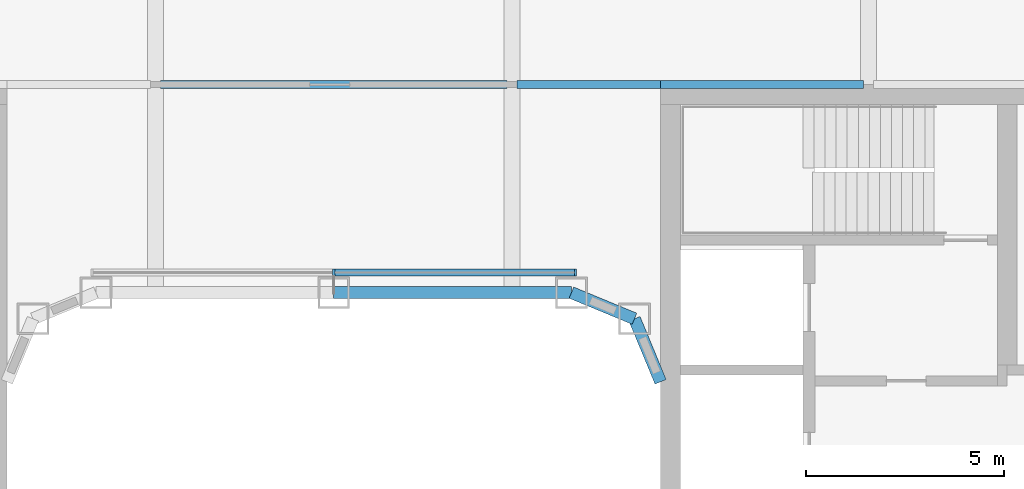
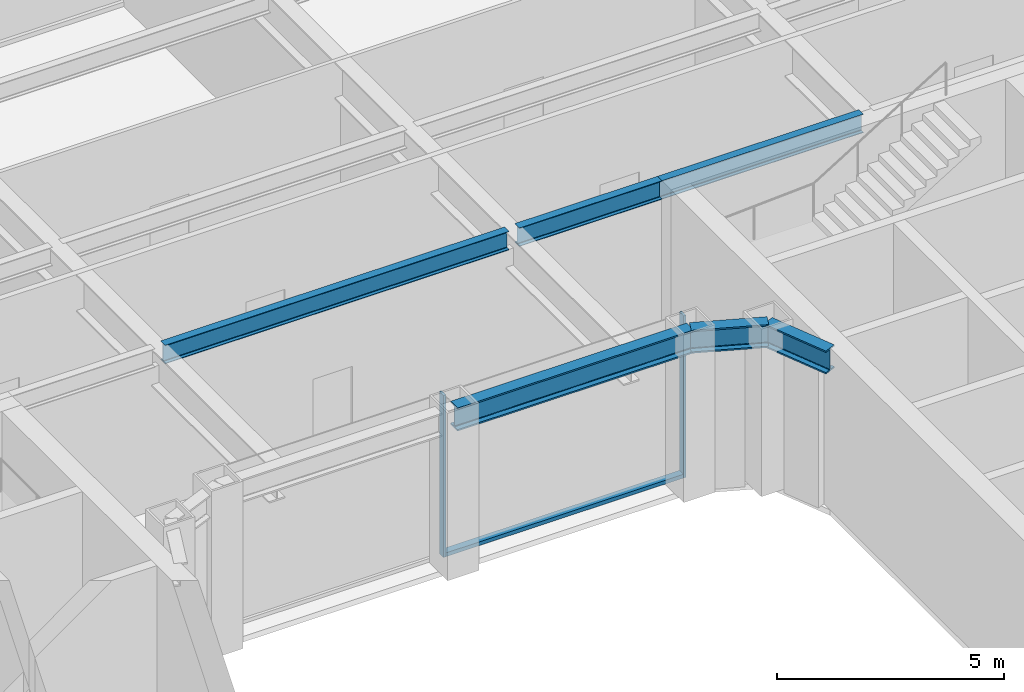
# One storey, part 8 of 30: 6 beams, 3 members, 1 element without a shape of its own.
"""IFC4 building model written with IfcOpenShell, lengths in metres."""

from ifc_helpers import new_model, si_unit, direction, frame, origin, origin_2d, place, context, subcontext, project, spatial, rectangle, i_section, extrude, material, layer, layer_set, material_profile, profile_set, type_object, element, aggregate, save


model = new_model("IFC4")

# Units and contexts
model_context = context("Model", 3, precision=1e-05, world=origin(), true_north=direction((0.0, 1.0)))
body_context = subcontext(model_context, "Body", "Model", "MODEL_VIEW")
ifc_project = project(units=[si_unit("LENGTHUNIT", "METRE"), si_unit("AREAUNIT", "SQUARE_METRE"), si_unit("VOLUMEUNIT", "CUBIC_METRE"), si_unit("PLANEANGLEUNIT", "RADIAN"), si_unit("MASSUNIT", "GRAM", prefix="KILO")], contexts=[model_context])

# Site, building, storey
site_placement = place(None, origin())
site = spatial("IfcSite", under=ifc_project, at=site_placement, CompositionType="ELEMENT")
building_placement = place(site_placement, origin())
building = spatial("IfcBuilding", under=site, at=building_placement, Name="Siwar Civic Tower", CompositionType="ELEMENT")
storey_placement = place(building_placement, frame((0.0, 0.0, 44.699951171875)))
storey = spatial("IfcBuildingStorey", under=building, at=storey_placement, Name="L09", CompositionType="ELEMENT", Elevation=44.699951171875)

# Curtain wall, members
ifc_material_1 = material(Name="Aluminium and glass", Category="aluminium")
ifc_layer = layer(ifc_material_1, 0.179931640625)
ifc_layer_set = layer_set([ifc_layer], Name="Aluminium and glass")
curtain_wall_type = type_object("IfcCurtainWallType", Name="ENV-CW-W", PredefinedType="NOTDEFINED", material=ifc_layer_set)
curtain_wall_placement = place(storey_placement, origin())
curtain_wall = element("IfcCurtainWall", 1, at=curtain_wall_placement, inside=storey, type_object=curtain_wall_type, Name="Curtain wall W WN", PredefinedType="NOTDEFINED")
ifc_material_2 = material(Name="Aluminium 6063-T6", Category="aluminium")
ifc_material_profile_1 = material_profile(ifc_material_2, rectangle(XDim=0.179931640625, YDim=0.06005859375, at=origin_2d()), Name="AL 180x60")
ifc_profile_set_1 = profile_set([ifc_material_profile_1], Name="Aluminium 6063-T6")
member_type_1 = type_object("IfcMemberType", Name="ENV-MULLION-W", PredefinedType="MULLION", material=ifc_profile_set_1)
member_1_placement = place(storey_placement, frame((6.1015625, 8.760009765625, 0.0), z_axis=(0.0, 0.0, 1.0), x_axis=(0.0, -1.0, 0.0)))
member_1 = element("IfcMember", 2, at=member_1_placement, type_object=member_type_1, Name="Mullion W WN 1", PredefinedType="MULLION", context=body_context, shape_type="SweptSolid", body=[
    extrude(rectangle(XDim=0.179931640625, YDim=0.06005859375, at=origin_2d()), origin(), (0.0, 0.0, 1.0), 4.35009765625),
])
member_2_placement = place(storey_placement, frame((0.0, 8.760009765625, 0.0), z_axis=(0.0, 0.0, 1.0), x_axis=(0.0, -1.0, 0.0)))
member_2 = element("IfcMember", 3, at=member_2_placement, type_object=member_type_1, Name="Mullion W WN 2", PredefinedType="MULLION", context=body_context, shape_type="SweptSolid", body=[
    extrude(rectangle(XDim=0.179931640625, YDim=0.06005859375, at=origin_2d()), origin(), (0.0, 0.0, 1.0), 4.35009765625),
])
ifc_material_3 = material(Name="Aluminium 6063-T6", Category="aluminium")
ifc_material_profile_2 = material_profile(ifc_material_3, rectangle(XDim=0.179931640625, YDim=0.10009765625, at=origin_2d()), Name="AL 180x100")
ifc_profile_set_2 = profile_set([ifc_material_profile_2], Name="Aluminium 6063-T6")
member_type_2 = type_object("IfcMemberType", Name="ENV-TRANSOM-W", PredefinedType="USERDEFINED", material=ifc_profile_set_2)
member_3_placement = place(storey_placement, frame((6.071533203125, 8.760009765625, 0.050048828125), z_axis=(-1.0, 0.0, 0.0), x_axis=(0.0, -1.0, 0.0)))
member_3 = element("IfcMember", 4, at=member_3_placement, type_object=member_type_2, Name="Transom W WN 1", ObjectType="TRANSOM", PredefinedType="USERDEFINED", context=body_context, shape_type="SweptSolid", body=[
    extrude(rectangle(XDim=0.179931640625, YDim=0.10009765625, at=origin_2d()), origin(), (0.0, 0.0, 1.0), 6.04150390625),
])
aggregate(curtain_wall, [member_1, member_2, member_3])

# Beams
ifc_material_4 = material(Name="Steel S355", Category="steel")
ifc_material_profile_3 = material_profile(ifc_material_4, i_section(OverallWidth=0.199951171875, OverallDepth=0.5, WebThickness=0.01025390625, FlangeThickness=0.01611328125, FilletRadius=0.02099609375, at=origin_2d()), Name="IPE500")
ifc_profile_set_3 = profile_set([ifc_material_profile_3], Name="Steel S355")
beam_type_1 = type_object("IfcBeamType", Name="STR-FB-IPE500", PredefinedType="JOIST", material=ifc_profile_set_3)
beam_1_placement = place(storey_placement, frame((-4.3701171875, 13.5, 4.10009765625), z_axis=(1.0, 0.0, 0.0), x_axis=(0.0, 1.0, 0.0)))
element("IfcBeam", 5, at=beam_1_placement, inside=storey, type_object=beam_type_1, Name="L09/bm/F041", PredefinedType="JOIST", context=body_context, shape_type="SweptSolid", body=[
    extrude(i_section(OverallWidth=0.199951171875, OverallDepth=0.5, WebThickness=0.01025390625, FlangeThickness=0.01611328125, FilletRadius=0.02099609375, at=origin_2d()), origin(), (0.0, 0.0, 1.0), 8.740234375),
])
beam_2_placement = place(storey_placement, frame((4.6298828125, 13.5, 4.10009765625), z_axis=(1.0, 0.0, 0.0), x_axis=(0.0, 1.0, 0.0)))
element("IfcBeam", 6, at=beam_2_placement, inside=storey, type_object=beam_type_1, Name="L09/bm/F042", PredefinedType="JOIST", context=body_context, shape_type="SweptSolid", body=[
    extrude(i_section(OverallWidth=0.199951171875, OverallDepth=0.5, WebThickness=0.01025390625, FlangeThickness=0.01611328125, FilletRadius=0.02099609375, at=origin_2d()), origin(), (0.0, 0.0, 1.0), 3.6201171875),
])
beam_3_placement = place(storey_placement, frame((8.25, 13.5, 4.10009765625), z_axis=(1.0, 0.0, 0.0), x_axis=(0.0, 1.0, 0.0)))
element("IfcBeam", 7, at=beam_3_placement, inside=storey, type_object=beam_type_1, Name="L09/bm/F043", PredefinedType="JOIST", context=body_context, shape_type="SweptSolid", body=[
    extrude(i_section(OverallWidth=0.199951171875, OverallDepth=0.5, WebThickness=0.01025390625, FlangeThickness=0.01611328125, FilletRadius=0.02099609375, at=origin_2d()), origin(), (0.0, 0.0, 1.0), 5.1201171875),
])
ifc_material_5 = material(Name="Steel S355", Category="steel")
ifc_material_profile_4 = material_profile(ifc_material_5, i_section(OverallWidth=0.304931640625, OverallDepth=0.6201171875, WebThickness=0.02099609375, FlangeThickness=0.0400390625, FilletRadius=0.027099609375, at=origin_2d()), Name="HEM600")
ifc_profile_set_4 = profile_set([ifc_material_profile_4], Name="Steel S355")
beam_type_2 = type_object("IfcBeamType", Name="STR-RB-HEM600", PredefinedType="BEAM", material=ifc_profile_set_4)
beam_4_placement = place(storey_placement, frame((0.0, 8.25, 4.0400390625), z_axis=(1.0, 0.0, 0.0), x_axis=(0.0, 1.0, 0.0)))
element("IfcBeam", 8, at=beam_4_placement, inside=storey, type_object=beam_type_2, Name="L09/bm/RN2", PredefinedType="BEAM", context=body_context, shape_type="SweptSolid", body=[
    extrude(i_section(OverallWidth=0.304931640625, OverallDepth=0.6201171875, WebThickness=0.02099609375, FlangeThickness=0.0400390625, FilletRadius=0.027099609375, at=origin_2d()), origin(), (0.0, 0.0, 1.0), 6.0),
])
for number, where, z_axis, x_axis, name in (
    (9, (6.0, 8.25, 4.0400390625), (0.923901072997, -0.382631424892, 0.0), (0.382631424892, 0.923901072997, 0.0), "L09/bm/RN3"),
    (10, (7.591064453125, 7.591064453125, 4.0400390625), (0.382631424892, -0.923901072997, 0.0), (0.923901072997, 0.382631424892, 0.0), "L09/bm/RNEE"),
):
    element("IfcBeam", number, at=place(storey_placement, frame(where, z_axis=z_axis, x_axis=x_axis)), inside=storey, type_object=beam_type_2, Name=name, PredefinedType="BEAM", context=body_context, shape_type="SweptSolid", body=[
        extrude(i_section(OverallWidth=0.304931640625, OverallDepth=0.6201171875, WebThickness=0.02099609375, FlangeThickness=0.0400390625, FilletRadius=0.027099609375, at=origin_2d()), origin(), (0.0, 0.0, 1.0), 1.72216796875),
    ])

save(model, "model.ifc")
